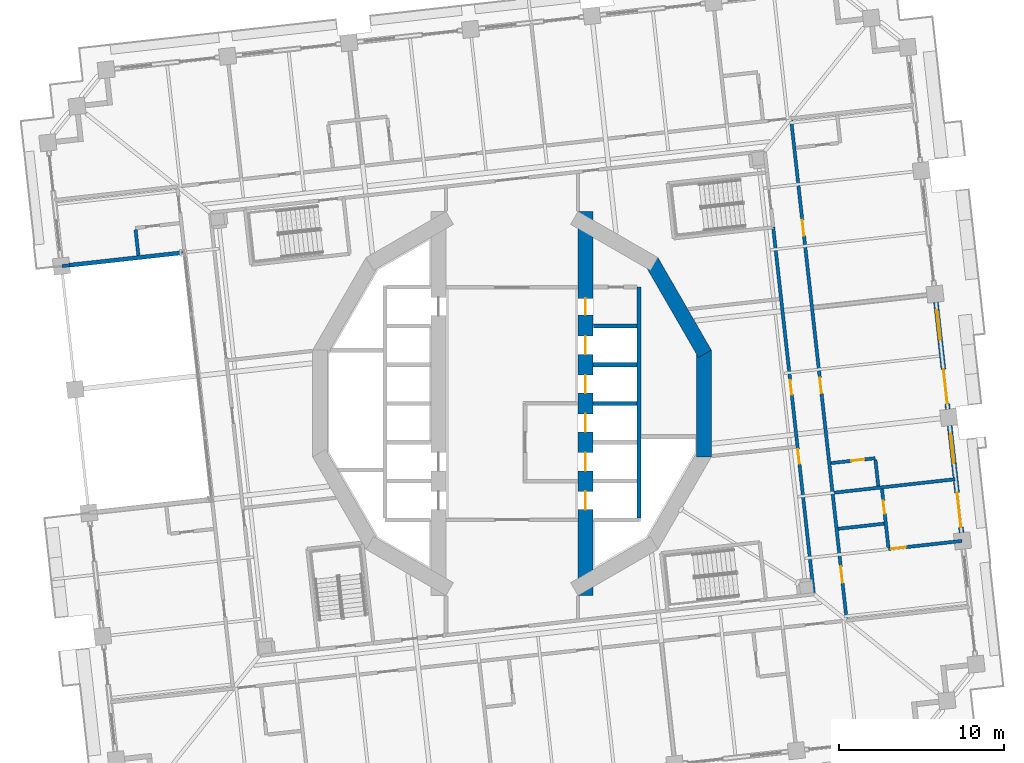
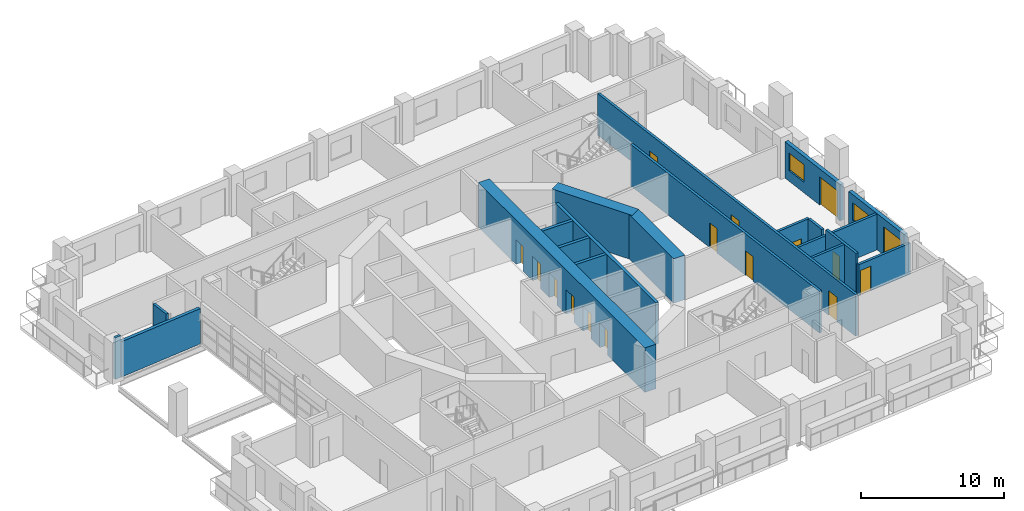
# One storey, part 10 of 21: 20 walls, 16 doors, 2 windows, 18 openings.
"""IFC4 building model written with IfcOpenShell, lengths in metres."""

from ifc_helpers import new_model, si_unit, direction, frame, frame_2d, origin, place, context, subcontext, project, spatial, rectangle, extrude, material, layer, layer_set, type_object, element, fill, save


model = new_model("IFC4")

# Units and contexts
model_context = context("Model", 3, precision=1e-05, world=origin(), true_north=direction((0.0, 1.0)))
body_context = subcontext(model_context, "Body", "Model", "MODEL_VIEW")
ifc_project = project(units=[si_unit("LENGTHUNIT", "METRE"), si_unit("AREAUNIT", "SQUARE_METRE"), si_unit("VOLUMEUNIT", "CUBIC_METRE"), si_unit("PLANEANGLEUNIT", "RADIAN"), si_unit("MASSUNIT", "GRAM", prefix="KILO")], contexts=[model_context])

# Site, building, storey
site_placement = place(None, origin())
site = spatial("IfcSite", under=ifc_project, at=site_placement, CompositionType="ELEMENT")
building_placement = place(site_placement, origin())
building = spatial("IfcBuilding", under=site, at=building_placement, Name="Cantera Rosa Tower", CompositionType="ELEMENT")
storey_placement = place(building_placement, frame((0.0, 0.0, 72.89990234375)))
storey = spatial("IfcBuildingStorey", under=building, at=storey_placement, Name="L15", CompositionType="ELEMENT", Elevation=72.89990234375)

# Wall, openings, doors
ifc_material_1 = material(Name="Gypsum board partition")
ifc_layer_1 = layer(ifc_material_1, 0.199951171875)
ifc_layer_set_1 = layer_set([ifc_layer_1], Name="CORRIDOR WALL 200 H3550")
wall_type_1 = type_object("IfcWallType", Name="CORRIDOR WALL 200 H3550", PredefinedType="PARTITIONING", material=ifc_layer_set_1)
wall_1_placement = place(storey_placement, frame((18.27490234375, -11.453857421875, 0.0), z_axis=(0.0, 0.0, 1.0), x_axis=(-0.110303935969, 0.993897903061, 0.0)))
wall_1 = element("IfcWall", 1, at=wall_1_placement, inside=storey, type_object=wall_type_1, Name="CORRIDOR WALL L15-101", PredefinedType="PARTITIONING", context=body_context, shape_type="SweptSolid", body=[
    extrude(rectangle(XDim=22.26171875, YDim=0.199951171875, at=frame_2d((11.130859375, 0.0))), origin(), (0.0, 0.0, 1.0), 3.550048828125),
])
opening_1_placement = place(wall_1_placement, frame((12.050048828125, 0.0, 0.0)))
opening_1 = element("IfcOpeningElement", 2, at=opening_1_placement, cuts=wall_1, Name="Opening L15-005", PredefinedType="OPENING", context=body_context, shape_type="SweptSolid", body=[
    extrude(rectangle(XDim=0.89990234375, YDim=2.10009765625, at=frame_2d((0.449951171875, 1.050048828125))), frame((0.0, 0.10986328125, 0.0), z_axis=(0.0, -1.0, 0.0), x_axis=(1.0, 0.0, 0.0)), (0.0, 0.0, 1.0), 0.219970703125),
])
opening_2_placement = place(wall_1_placement, frame((7.842529296875, 0.0, 0.0)))
opening_2 = element("IfcOpeningElement", 3, at=opening_2_placement, cuts=wall_1, Name="Opening L15-011", PredefinedType="OPENING", context=body_context, shape_type="SweptSolid", body=[
    extrude(rectangle(XDim=0.89990234375, YDim=2.10009765625, at=frame_2d((0.449951171875, 1.050048828125))), frame((0.0, 0.10986328125, 0.0), z_axis=(0.0, -1.0, 0.0), x_axis=(1.0, 0.0, 0.0)), (0.0, 0.0, 1.0), 0.219970703125),
])
ifc_material_2 = material(Name="Timber door leaf", Category="wood")
door_type_1 = type_object("IfcDoorType", Name="SERVICE DOOR 900x2100", OperationType="NOTDEFINED", PredefinedType="DOOR", material=ifc_material_2)
door_1_placement = place(opening_1_placement, origin())
door_1 = element("IfcDoor", 4, at=door_1_placement, inside=storey, type_object=door_type_1, Name="DOOR L15-005", OperationType="NOTDEFINED", OverallHeight=2.10009765625, OverallWidth=0.89990234375, PredefinedType="DOOR", context=body_context, shape_type="SweptSolid", body=[
    extrude(rectangle(XDim=0.89990234375, YDim=2.10009765625, at=frame_2d((0.449951171875, 1.050048828125))), frame((0.0, 0.02490234375, 0.0), z_axis=(0.0, -1.0, 0.0), x_axis=(1.0, 0.0, 0.0)), (0.0, 0.0, 1.0), 0.050048828125),
])
fill(opening_1, door_1)
door_2_placement = place(opening_2_placement, origin())
door_2 = element("IfcDoor", 5, at=door_2_placement, inside=storey, type_object=door_type_1, Name="DOOR L15-011", OperationType="NOTDEFINED", OverallHeight=2.10009765625, OverallWidth=0.89990234375, PredefinedType="DOOR", context=body_context, shape_type="SweptSolid", body=[
    extrude(rectangle(XDim=0.89990234375, YDim=2.10009765625, at=frame_2d((0.449951171875, 1.050048828125))), frame((0.0, 0.02490234375, 0.0), z_axis=(0.0, -1.0, 0.0), x_axis=(1.0, 0.0, 0.0)), (0.0, 0.0, 1.0), 0.050048828125),
])
fill(opening_2, door_2)

wall_2_placement = place(storey_placement, frame((20.2626953125, -13.04443359375, 0.0), z_axis=(0.0, 0.0, 1.0), x_axis=(-0.110312530755, 0.993896949164, 0.0)))
wall_2 = element("IfcWall", 6, at=wall_2_placement, inside=storey, type_object=wall_type_1, Name="CORRIDOR WALL L15-106", PredefinedType="PARTITIONING", context=body_context, shape_type="SweptSolid", body=[
    extrude(rectangle(XDim=30.400146484375, YDim=0.199951171875, at=frame_2d((15.2001953125, 0.0))), origin(), (0.0, 0.0, 1.0), 3.550048828125),
])
opening_3_placement = place(wall_2_placement, frame((2.18994140625, 0.0, 0.0)))
opening_3 = element("IfcOpeningElement", 7, at=opening_3_placement, cuts=wall_2, Name="Opening L15-018", PredefinedType="OPENING", context=body_context, shape_type="SweptSolid", body=[
    extrude(rectangle(XDim=1.0, YDim=2.10009765625, at=frame_2d((0.5, 1.050048828125))), frame((0.0, 0.10986328125, 0.0), z_axis=(0.0, -1.0, 0.0), x_axis=(1.0, 0.0, 0.0)), (0.0, 0.0, 1.0), 0.219970703125),
])
opening_4_placement = place(wall_2_placement, frame((13.7451171875, 0.0, 0.0)))
opening_4 = element("IfcOpeningElement", 8, at=opening_4_placement, cuts=wall_2, Name="Opening L15-021", PredefinedType="OPENING", context=body_context, shape_type="SweptSolid", body=[
    extrude(rectangle(XDim=0.949951171875, YDim=2.10009765625, at=frame_2d((0.47509765625, 1.050048828125))), frame((0.0, 0.10986328125, 0.0), z_axis=(0.0, -1.0, 0.0), x_axis=(1.0, 0.0, 0.0)), (0.0, 0.0, 1.0), 0.219970703125),
])
opening_5_placement = place(wall_2_placement, frame((23.35498046875, 0.0, 0.0)))
opening_5 = element("IfcOpeningElement", 9, at=opening_5_placement, cuts=wall_2, Name="Opening L15-023", PredefinedType="OPENING", context=body_context, shape_type="SweptSolid", body=[
    extrude(rectangle(XDim=0.949951171875, YDim=2.10009765625, at=frame_2d((0.47509765625, 1.050048828125))), frame((0.0, 0.10986328125, 0.0), z_axis=(0.0, -1.0, 0.0), x_axis=(1.0, 0.0, 0.0)), (0.0, 0.0, 1.0), 0.219970703125),
])
ifc_material_3 = material(Name="Timber door leaf", Category="wood")
door_type_2 = type_object("IfcDoorType", Name="ENTRANCE DOOR 1000x2100", OperationType="NOTDEFINED", PredefinedType="DOOR", material=ifc_material_3)
door_3_placement = place(opening_3_placement, origin())
door_3 = element("IfcDoor", 10, at=door_3_placement, inside=storey, type_object=door_type_2, Name="DOOR L15-018", OperationType="NOTDEFINED", OverallHeight=2.10009765625, OverallWidth=1.0, PredefinedType="DOOR", context=body_context, shape_type="SweptSolid", body=[
    extrude(rectangle(XDim=1.0, YDim=2.10009765625, at=frame_2d((0.5, 1.050048828125))), frame((0.0, 0.02490234375, 0.0), z_axis=(0.0, -1.0, 0.0), x_axis=(1.0, 0.0, 0.0)), (0.0, 0.0, 1.0), 0.050048828125),
])
fill(opening_3, door_3)
ifc_material_4 = material(Name="Timber door leaf", Category="wood")
door_type_3 = type_object("IfcDoorType", Name="ROOM DOOR 950x2100", OperationType="NOTDEFINED", PredefinedType="DOOR", material=ifc_material_4)
door_4_placement = place(opening_4_placement, origin())
door_4 = element("IfcDoor", 11, at=door_4_placement, inside=storey, type_object=door_type_3, Name="DOOR L15-021", OperationType="NOTDEFINED", OverallHeight=2.10009765625, OverallWidth=0.949951171875, PredefinedType="DOOR", context=body_context, shape_type="SweptSolid", body=[
    extrude(rectangle(XDim=0.949951171875, YDim=2.10009765625, at=frame_2d((0.47509765625, 1.050048828125))), frame((0.0, 0.02490234375, 0.0), z_axis=(0.0, -1.0, 0.0), x_axis=(1.0, 0.0, 0.0)), (0.0, 0.0, 1.0), 0.050048828125),
])
fill(opening_4, door_4)
door_5_placement = place(opening_5_placement, origin())
door_5 = element("IfcDoor", 12, at=door_5_placement, inside=storey, type_object=door_type_3, Name="DOOR L15-023", OperationType="NOTDEFINED", OverallHeight=2.10009765625, OverallWidth=0.949951171875, PredefinedType="DOOR", context=body_context, shape_type="SweptSolid", body=[
    extrude(rectangle(XDim=0.949951171875, YDim=2.10009765625, at=frame_2d((0.47509765625, 1.050048828125))), frame((0.0, 0.02490234375, 0.0), z_axis=(0.0, -1.0, 0.0), x_axis=(1.0, 0.0, 0.0)), (0.0, 0.0, 1.0), 0.050048828125),
])
fill(opening_5, door_5)

# Wall, openings, window, door
ifc_material_5 = material(Name="Hollow clay masonry with cantera stone cladding", Category="masonry")
ifc_layer_2 = layer(ifc_material_5, 0.300048828125)
ifc_layer_set_2 = layer_set([ifc_layer_2], Name="EW-LOGGIA 300 H3090")
wall_type_2 = type_object("IfcWallType", Name="EW-LOGGIA 300 H3090", PredefinedType="SOLIDWALL", material=ifc_layer_set_2)
wall_3_placement = place(storey_placement, frame((27.229248046875, -7.823974609375, 0.0), z_axis=(0.0, 0.0, 1.0), x_axis=(-0.110312341265, 0.993896970196, 0.0)))
wall_3 = element("IfcWall", 13, at=wall_3_placement, inside=storey, type_object=wall_type_2, Name="EN-L15-W02", PredefinedType="SOLIDWALL", context=body_context, shape_type="SweptSolid", body=[
    extrude(rectangle(XDim=6.52001953125, YDim=0.300048828125, at=frame_2d((3.260009765625, 0.0))), origin(), (0.0, 0.0, 1.0), 3.090087890625),
])
opening_6_placement = place(wall_3_placement, frame((0.330078125, 0.0, 0.0)))
opening_6 = element("IfcOpeningElement", 14, at=opening_6_placement, cuts=wall_3, Name="Opening L15-TD03", PredefinedType="OPENING", context=body_context, shape_type="SweptSolid", body=[
    extrude(rectangle(XDim=2.10009765625, YDim=2.39990234375, at=frame_2d((1.050048828125, 1.199951171875))), frame((0.0, 0.159912109375, 0.0), z_axis=(0.0, -1.0, 0.0), x_axis=(1.0, 0.0, 0.0)), (0.0, 0.0, 1.0), 0.320068359375),
])
opening_7_placement = place(wall_3_placement, frame((4.239990234375, 0.0, 0.89990234375)))
opening_7 = element("IfcOpeningElement", 15, at=opening_7_placement, cuts=wall_3, Name="Opening L15-W04", PredefinedType="OPENING", context=body_context, shape_type="SweptSolid", body=[
    extrude(rectangle(XDim=1.800048828125, YDim=1.5, at=frame_2d((0.89990234375, 0.75))), frame((0.0, 0.159912109375, 0.0), z_axis=(0.0, -1.0, 0.0), x_axis=(1.0, 0.0, 0.0)), (0.0, 0.0, 1.0), 0.320068359375),
])
ifc_material_6 = material(Name="Aluminium frame with clear glass", Category="aluminium")
window_type = type_object("IfcWindowType", Name="Hotel room window 1800x1500", PartitioningType="DOUBLE_PANEL_VERTICAL", PredefinedType="WINDOW", material=ifc_material_6)
window_1_placement = place(opening_7_placement, origin())
window_1 = element("IfcWindow", 16, at=window_1_placement, inside=storey, type_object=window_type, Name="WINDOW L15-W04", OverallHeight=1.5, OverallWidth=1.800048828125, PartitioningType="SINGLE_PANEL", PredefinedType="WINDOW", context=body_context, shape_type="SweptSolid", body=[
    extrude(rectangle(XDim=1.800048828125, YDim=1.5, at=frame_2d((0.89990234375, 0.75))), frame((0.0, 0.030029296875, 0.0), z_axis=(0.0, -1.0, 0.0), x_axis=(1.0, 0.0, 0.0)), (0.0, 0.0, 1.0), 0.06005859375),
])
fill(opening_7, window_1)
ifc_material_7 = material(Name="Aluminium frame with clear glass", Category="aluminium")
door_type_4 = type_object("IfcDoorType", Name="TD-H 2100x2400", OperationType="NOTDEFINED", PredefinedType="DOOR", material=ifc_material_7)
door_6_placement = place(opening_6_placement, origin())
door_6 = element("IfcDoor", 17, at=door_6_placement, inside=storey, type_object=door_type_4, Name="LOGGIA DOOR L15-TD03", OperationType="SLIDING_TO_LEFT", OverallHeight=2.39990234375, OverallWidth=2.10009765625, PredefinedType="DOOR", context=body_context, shape_type="SweptSolid", body=[
    extrude(rectangle(XDim=2.10009765625, YDim=2.39990234375, at=frame_2d((1.050048828125, 1.199951171875))), frame((0.0, 0.02490234375, 0.0), z_axis=(0.0, -1.0, 0.0), x_axis=(1.0, 0.0, 0.0)), (0.0, 0.0, 1.0), 0.050048828125),
])
fill(opening_6, door_6)

wall_4_placement = place(storey_placement, frame((26.399658203125, -0.349853515625, 0.0), z_axis=(0.0, 0.0, 1.0), x_axis=(-0.110312341265, 0.993896970196, 0.0)))
wall_4 = element("IfcWall", 18, at=wall_4_placement, inside=storey, type_object=wall_type_2, Name="EN-L15-W03", PredefinedType="SOLIDWALL", context=body_context, shape_type="SweptSolid", body=[
    extrude(rectangle(XDim=6.52001953125, YDim=0.300048828125, at=frame_2d((3.260009765625, 0.0))), origin(), (0.0, 0.0, 1.0), 3.090087890625),
])
opening_8_placement = place(wall_4_placement, frame((0.330078125, 0.0, 0.0)))
opening_8 = element("IfcOpeningElement", 19, at=opening_8_placement, cuts=wall_4, Name="Opening L15-TD05", PredefinedType="OPENING", context=body_context, shape_type="SweptSolid", body=[
    extrude(rectangle(XDim=2.10009765625, YDim=2.39990234375, at=frame_2d((1.050048828125, 1.199951171875))), frame((0.0, 0.159912109375, 0.0), z_axis=(0.0, -1.0, 0.0), x_axis=(1.0, 0.0, 0.0)), (0.0, 0.0, 1.0), 0.320068359375),
])
opening_9_placement = place(wall_4_placement, frame((4.239990234375, 0.0, 0.89990234375)))
opening_9 = element("IfcOpeningElement", 20, at=opening_9_placement, cuts=wall_4, Name="Opening L15-W06", PredefinedType="OPENING", context=body_context, shape_type="SweptSolid", body=[
    extrude(rectangle(XDim=1.800048828125, YDim=1.5, at=frame_2d((0.89990234375, 0.75))), frame((0.0, 0.159912109375, 0.0), z_axis=(0.0, -1.0, 0.0), x_axis=(1.0, 0.0, 0.0)), (0.0, 0.0, 1.0), 0.320068359375),
])
window_2_placement = place(opening_9_placement, origin())
window_2 = element("IfcWindow", 21, at=window_2_placement, inside=storey, type_object=window_type, Name="WINDOW L15-W06", OverallHeight=1.5, OverallWidth=1.800048828125, PartitioningType="SINGLE_PANEL", PredefinedType="WINDOW", context=body_context, shape_type="SweptSolid", body=[
    extrude(rectangle(XDim=1.800048828125, YDim=1.5, at=frame_2d((0.89990234375, 0.75))), frame((0.0, 0.030029296875, 0.0), z_axis=(0.0, -1.0, 0.0), x_axis=(1.0, 0.0, 0.0)), (0.0, 0.0, 1.0), 0.06005859375),
])
fill(opening_9, window_2)
door_7_placement = place(opening_8_placement, origin())
door_7 = element("IfcDoor", 22, at=door_7_placement, inside=storey, type_object=door_type_4, Name="LOGGIA DOOR L15-TD05", OperationType="SLIDING_TO_LEFT", OverallHeight=2.39990234375, OverallWidth=2.10009765625, PredefinedType="DOOR", context=body_context, shape_type="SweptSolid", body=[
    extrude(rectangle(XDim=2.10009765625, YDim=2.39990234375, at=frame_2d((1.050048828125, 1.199951171875))), frame((0.0, 0.02490234375, 0.0), z_axis=(0.0, -1.0, 0.0), x_axis=(1.0, 0.0, 0.0)), (0.0, 0.0, 1.0), 0.050048828125),
])
fill(opening_8, door_7)

# Wall
ifc_material_8 = material(Name="Concrete C40/50", Category="concrete")
ifc_layer_3 = layer(ifc_material_8, 0.25)
ifc_layer_set_3 = layer_set([ifc_layer_3], Name="EW-POCKET CHEEK 250 H3020")
wall_type_3 = type_object("IfcWallType", Name="EW-POCKET CHEEK 250 H3020", PredefinedType="SOLIDWALL", material=ifc_layer_set_3)
wall_5_placement = place(storey_placement, frame((-26.78759765625, 8.376220703125, 0.0), z_axis=(0.0, 0.0, 1.0), x_axis=(0.993899689646, 0.11028783669, 0.0)))
element("IfcWall", 23, at=wall_5_placement, inside=storey, type_object=wall_type_3, Name="POCKET CHEEK A L15", PredefinedType="SOLIDWALL", context=body_context, shape_type="SweptSolid", body=[
    extrude(rectangle(XDim=6.89990234375, YDim=0.25, at=frame_2d((3.449951171875, 0.0))), origin(), (0.0, 0.0, 1.0), 3.02001953125),
])

# Wall, opening, door
ifc_material_9 = material(Name="Gypsum board partition")
ifc_layer_4 = layer(ifc_material_9, 0.199951171875)
ifc_layer_set_4 = layer_set([ifc_layer_4], Name="PARTITION 200 H2650")
wall_type_4 = type_object("IfcWallType", Name="PARTITION 200 H2650", PredefinedType="PARTITIONING", material=ifc_layer_set_4)
wall_6_placement = place(storey_placement, frame((27.254638671875, -8.32421875, 0.0), z_axis=(0.0, 0.0, 1.0), x_axis=(-0.993895052822, -0.11032961514, 0.0)))
wall_6 = element("IfcWall", 24, at=wall_6_placement, inside=storey, type_object=wall_type_4, Name="PARTITION L15-110", PredefinedType="PARTITIONING", context=body_context, shape_type="SweptSolid", body=[
    extrude(rectangle(XDim=4.469970703125, YDim=0.199951171875, at=frame_2d((2.23486328125, 0.0))), origin(), (0.0, 0.0, 1.0), 2.650146484375),
])
opening_10_placement = place(wall_6_placement, frame((3.419921875, 0.0, 0.0)))
opening_10 = element("IfcOpeningElement", 25, at=opening_10_placement, cuts=wall_6, Name="Opening L15-019", PredefinedType="OPENING", context=body_context, shape_type="SweptSolid", body=[
    extrude(rectangle(XDim=0.89990234375, YDim=2.10009765625, at=frame_2d((0.449951171875, 1.050048828125))), frame((0.0, 0.10986328125, 0.0), z_axis=(0.0, -1.0, 0.0), x_axis=(1.0, 0.0, 0.0)), (0.0, 0.0, 1.0), 0.219970703125),
])
ifc_material_10 = material(Name="Timber door leaf", Category="wood")
door_type_5 = type_object("IfcDoorType", Name="ROOM DOOR 900x2100", OperationType="NOTDEFINED", PredefinedType="DOOR", material=ifc_material_10)
door_8_placement = place(opening_10_placement, origin())
door_8 = element("IfcDoor", 26, at=door_8_placement, inside=storey, type_object=door_type_5, Name="DOOR L15-019", OperationType="NOTDEFINED", OverallHeight=2.10009765625, OverallWidth=0.89990234375, PredefinedType="DOOR", context=body_context, shape_type="SweptSolid", body=[
    extrude(rectangle(XDim=0.89990234375, YDim=2.10009765625, at=frame_2d((0.449951171875, 1.050048828125))), frame((0.0, 0.02490234375, 0.0), z_axis=(0.0, -1.0, 0.0), x_axis=(1.0, 0.0, 0.0)), (0.0, 0.0, 1.0), 0.050048828125),
])
fill(opening_10, door_8)

# Walls
ifc_material_11 = material(Name="Gypsum board partition")
ifc_layer_5 = layer(ifc_material_11, 0.199951171875)
ifc_layer_set_5 = layer_set([ifc_layer_5], Name="PARTITION 200 H3550")
wall_type_5 = type_object("IfcWallType", Name="PARTITION 200 H3550", PredefinedType="PARTITIONING", material=ifc_layer_set_5)
wall_7_placement = place(storey_placement, frame((-22.6279296875, 8.9736328125, 0.0), z_axis=(0.0, 0.0, 1.0), x_axis=(-0.110294546254, 0.993898945098, 0.0)))
element("IfcWall", 27, at=wall_7_placement, inside=storey, type_object=wall_type_5, Name="PARTITION L15-004", PredefinedType="PARTITIONING", context=body_context, shape_type="SweptSolid", body=[
    extrude(rectangle(XDim=1.56494140625, YDim=0.199951171875, at=frame_2d((0.782470703125, 0.0))), origin(), (0.0, 0.0, 1.0), 3.550048828125),
])
wall_8_placement = place(storey_placement, frame((-26.78759765625, 8.376220703125, 0.0), z_axis=(0.0, 0.0, 1.0), x_axis=(-0.99385836564, -0.110659608929, 0.0)))
element("IfcWall", 28, at=wall_8_placement, inside=storey, type_object=wall_type_5, Name="PARTITION L15-012", PredefinedType="PARTITIONING", context=body_context, shape_type="SweptSolid", body=[
    extrude(rectangle(XDim=0.469970703125, YDim=0.199951171875, at=frame_2d((0.23486328125, 0.0))), origin(), (0.0, 0.0, 1.0), 3.550048828125),
])

# Wall, opening, door
wall_9_placement = place(storey_placement, frame((19.31640625, -3.611083984375, 0.0), z_axis=(0.0, 0.0, 1.0), x_axis=(0.993905770718, 0.110233021063, 0.0)))
wall_9 = element("IfcWall", 29, at=wall_9_placement, inside=storey, type_object=wall_type_5, Name="PARTITION L15-102", PredefinedType="PARTITIONING", context=body_context, shape_type="SweptSolid", body=[
    extrude(rectangle(XDim=2.69970703125, YDim=0.199951171875, at=frame_2d((1.349853515625, 0.0))), origin(), (0.0, 0.0, 1.0), 3.550048828125),
])
opening_11_placement = place(wall_9_placement, frame((1.236083984375, 0.0, 0.0)))
opening_11 = element("IfcOpeningElement", 30, at=opening_11_placement, cuts=wall_9, Name="Opening L15-022", PredefinedType="OPENING", context=body_context, shape_type="SweptSolid", body=[
    extrude(rectangle(XDim=0.800048828125, YDim=2.10009765625, at=frame_2d((0.39990234375, 1.050048828125))), frame((0.0, 0.10986328125, 0.0), z_axis=(0.0, -1.0, 0.0), x_axis=(1.0, 0.0, 0.0)), (0.0, 0.0, 1.0), 0.219970703125),
])
ifc_material_12 = material(Name="Timber door leaf", Category="wood")
door_type_6 = type_object("IfcDoorType", Name="BATHROOM DOOR 800x2100", OperationType="NOTDEFINED", PredefinedType="DOOR", material=ifc_material_12)
door_9_placement = place(opening_11_placement, origin())
door_9 = element("IfcDoor", 31, at=door_9_placement, inside=storey, type_object=door_type_6, Name="DOOR L15-022", OperationType="NOTDEFINED", OverallHeight=2.10009765625, OverallWidth=0.800048828125, PredefinedType="DOOR", context=body_context, shape_type="SweptSolid", body=[
    extrude(rectangle(XDim=0.800048828125, YDim=2.10009765625, at=frame_2d((0.39990234375, 1.050048828125))), frame((0.0, 0.02490234375, 0.0), z_axis=(0.0, -1.0, 0.0), x_axis=(1.0, 0.0, 0.0)), (0.0, 0.0, 1.0), 0.050048828125),
])
fill(opening_11, door_9)

# Walls
wall_10_placement = place(storey_placement, frame((22.0107421875, -3.412841796875, 0.0), z_axis=(0.0, 0.0, 1.0), x_axis=(0.110331031706, -0.993894895571, 0.0)))
element("IfcWall", 32, at=wall_10_placement, inside=storey, type_object=wall_type_5, Name="PARTITION L15-107", PredefinedType="PARTITIONING", context=body_context, shape_type="SweptSolid", body=[
    extrude(rectangle(XDim=1.599853515625, YDim=0.199951171875, at=frame_2d((0.7998046875, 0.0))), origin(), (0.0, 0.0, 1.0), 3.550048828125),
])
wall_11_placement = place(storey_placement, frame((22.540283203125, -7.27783203125, 0.0), z_axis=(0.0, 0.0, 1.0), x_axis=(-0.99388798752, -0.110393243744, 0.0)))
element("IfcWall", 33, at=wall_11_placement, inside=storey, type_object=wall_type_5, Name="PARTITION L15-108", PredefinedType="PARTITIONING", context=body_context, shape_type="SweptSolid", body=[
    extrude(rectangle(XDim=2.7998046875, YDim=0.199951171875, at=frame_2d((1.39990234375, 0.0))), origin(), (0.0, 0.0, 1.0), 3.550048828125),
])

# Wall, opening, door
wall_12_placement = place(storey_placement, frame((22.80078125, -8.718017578125, 0.0), z_axis=(0.0, 0.0, 1.0), x_axis=(-0.110273460699, 0.993901284769, 0.0)))
wall_12 = element("IfcWall", 34, at=wall_12_placement, inside=storey, type_object=wall_type_5, Name="PARTITION L15-109", PredefinedType="PARTITIONING", context=body_context, shape_type="SweptSolid", body=[
    extrude(rectangle(XDim=3.56005859375, YDim=0.199951171875, at=frame_2d((1.780029296875, 0.0))), origin(), (0.0, 0.0, 1.0), 3.550048828125),
])
opening_12_placement = place(wall_12_placement, frame((2.050048828125, 0.0, 0.0)))
opening_12 = element("IfcOpeningElement", 35, at=opening_12_placement, cuts=wall_12, Name="Opening L15-020", PredefinedType="OPENING", context=body_context, shape_type="SweptSolid", body=[
    extrude(rectangle(XDim=0.800048828125, YDim=2.10009765625, at=frame_2d((0.39990234375, 1.050048828125))), frame((0.0, 0.10986328125, 0.0), z_axis=(0.0, -1.0, 0.0), x_axis=(1.0, 0.0, 0.0)), (0.0, 0.0, 1.0), 0.219970703125),
])
door_10_placement = place(opening_12_placement, origin())
door_10 = element("IfcDoor", 36, at=door_10_placement, inside=storey, type_object=door_type_6, Name="DOOR L15-020", OperationType="NOTDEFINED", OverallHeight=2.10009765625, OverallWidth=0.800048828125, PredefinedType="DOOR", context=body_context, shape_type="SweptSolid", body=[
    extrude(rectangle(XDim=0.800048828125, YDim=2.10009765625, at=frame_2d((0.39990234375, 1.050048828125))), frame((0.0, 0.02490234375, 0.0), z_axis=(0.0, -1.0, 0.0), x_axis=(1.0, 0.0, 0.0)), (0.0, 0.0, 1.0), 0.050048828125),
])
fill(opening_12, door_10)

# Walls
ifc_material_13 = material(Name="Gypsum board partition")
ifc_layer_6 = layer(ifc_material_13, 0.199951171875)
ifc_layer_set_6 = layer_set([ifc_layer_6], Name="PARTY WALL 200 H3050")
wall_type_6 = type_object("IfcWallType", Name="PARTY WALL 200 H3050", PredefinedType="PARTITIONING", material=ifc_layer_set_6)
wall_13_placement = place(storey_placement, frame((19.514892578125, -5.400146484375, 0.0), z_axis=(0.0, 0.0, 1.0), x_axis=(0.993897058864, 0.11031154238, 0.0)))
element("IfcWall", 37, at=wall_13_placement, inside=storey, type_object=wall_type_6, Name="PARTY WALL L15-103", PredefinedType="PARTITIONING", context=body_context, shape_type="SweptSolid", body=[
    extrude(rectangle(XDim=7.369873046875, YDim=0.199951171875, at=frame_2d((3.68505859375, 0.0))), origin(), (0.0, 0.0, 1.0), 3.050048828125),
])
ifc_material_14 = material(Name="Concrete C70/85", Category="concrete")
ifc_layer_7 = layer(ifc_material_14, 0.89990234375)
ifc_layer_set_7 = layer_set([ifc_layer_7], Name="RC CORE WALL 900 C70/85")
wall_type_7 = type_object("IfcWallType", Name="RC CORE WALL 900 C70/85", PredefinedType="SHEAR", material=ifc_layer_set_7)
wall_14_placement = place(storey_placement, frame((8.44921875, 8.61376953125, 0.0), z_axis=(0.0, 0.0, 1.0), x_axis=(0.499990282633, -0.866031014036, 0.0)))
element("IfcWall", 38, at=wall_14_placement, inside=storey, type_object=wall_type_7, Name="CW-E2 L15", PredefinedType="SHEAR", context=body_context, shape_type="SweptSolid", body=[
    extrude(rectangle(XDim=6.470458984375, YDim=0.89990234375, at=frame_2d((3.2353515625, 0.0))), origin(), (0.0, 0.0, 1.0), 3.800048828125),
])
wall_15_placement = place(storey_placement, frame((11.6240234375, 3.2353515625, 0.0), z_axis=(0.0, 0.0, 1.0), x_axis=(0.0, -1.0, 0.0)))
element("IfcWall", 39, at=wall_15_placement, inside=storey, type_object=wall_type_7, Name="CW-E3 L15", PredefinedType="SHEAR", context=body_context, shape_type="SweptSolid", body=[
    extrude(rectangle(XDim=6.470703125, YDim=0.89990234375, at=frame_2d((3.2353515625, 0.0))), origin(), (0.0, 0.0, 1.0), 3.800048828125),
])

# Wall, openings, doors
wall_16_placement = place(storey_placement, frame((4.449951171875, -11.632568359375, 0.0), z_axis=(0.0, 0.0, 1.0), x_axis=(0.0, 1.0, 0.0)))
wall_16 = element("IfcWall", 40, at=wall_16_placement, inside=storey, type_object=wall_type_7, Name="CW-E6 L15", PredefinedType="SHEAR", context=body_context, shape_type="SweptSolid", body=[
    extrude(rectangle(XDim=23.26513671875, YDim=0.89990234375, at=frame_2d((11.632568359375, 0.0))), origin(), (0.0, 0.0, 1.0), 3.800048828125),
])
opening_13_placement = place(wall_16_placement, frame((7.5576171875, 0.0, 0.0)))
opening_13 = element("IfcOpeningElement", 41, at=opening_13_placement, cuts=wall_16, Name="Opening LD-FF1-L15", PredefinedType="OPENING", context=body_context, shape_type="SweptSolid", body=[
    extrude(rectangle(XDim=1.10009765625, YDim=2.10009765625, at=frame_2d((0.550048828125, 1.050048828125))), frame((0.0, 0.4599609375, 0.0), z_axis=(0.0, -1.0, 0.0), x_axis=(1.0, 0.0, 0.0)), (0.0, 0.0, 1.0), 0.919921875),
])
opening_14_placement = place(wall_16_placement, frame((9.907470703125, 0.0, 0.0)))
opening_14 = element("IfcOpeningElement", 42, at=opening_14_placement, cuts=wall_16, Name="Opening LD-FF2-L15", PredefinedType="OPENING", context=body_context, shape_type="SweptSolid", body=[
    extrude(rectangle(XDim=1.10009765625, YDim=2.10009765625, at=frame_2d((0.550048828125, 1.050048828125))), frame((0.0, 0.4599609375, 0.0), z_axis=(0.0, -1.0, 0.0), x_axis=(1.0, 0.0, 0.0)), (0.0, 0.0, 1.0), 0.919921875),
])
opening_15_placement = place(wall_16_placement, frame((12.257568359375, 0.0, 0.0)))
opening_15 = element("IfcOpeningElement", 43, at=opening_15_placement, cuts=wall_16, Name="Opening LD-P1-L15", PredefinedType="OPENING", context=body_context, shape_type="SweptSolid", body=[
    extrude(rectangle(XDim=1.10009765625, YDim=2.10009765625, at=frame_2d((0.550048828125, 1.050048828125))), frame((0.0, 0.4599609375, 0.0), z_axis=(0.0, -1.0, 0.0), x_axis=(1.0, 0.0, 0.0)), (0.0, 0.0, 1.0), 0.919921875),
])
opening_16_placement = place(wall_16_placement, frame((14.607421875, 0.0, 0.0)))
opening_16 = element("IfcOpeningElement", 44, at=opening_16_placement, cuts=wall_16, Name="Opening LD-P2-L15", PredefinedType="OPENING", context=body_context, shape_type="SweptSolid", body=[
    extrude(rectangle(XDim=1.10009765625, YDim=2.10009765625, at=frame_2d((0.550048828125, 1.050048828125))), frame((0.0, 0.4599609375, 0.0), z_axis=(0.0, -1.0, 0.0), x_axis=(1.0, 0.0, 0.0)), (0.0, 0.0, 1.0), 0.919921875),
])
opening_17_placement = place(wall_16_placement, frame((5.20751953125, 0.0, 0.0)))
opening_17 = element("IfcOpeningElement", 45, at=opening_17_placement, cuts=wall_16, Name="Opening LD-P6-L15", PredefinedType="OPENING", context=body_context, shape_type="SweptSolid", body=[
    extrude(rectangle(XDim=1.10009765625, YDim=2.10009765625, at=frame_2d((0.550048828125, 1.050048828125))), frame((0.0, 0.4599609375, 0.0), z_axis=(0.0, -1.0, 0.0), x_axis=(1.0, 0.0, 0.0)), (0.0, 0.0, 1.0), 0.919921875),
])
opening_18_placement = place(wall_16_placement, frame((17.007568359375, 0.0, 0.0)))
opening_18 = element("IfcOpeningElement", 46, at=opening_18_placement, cuts=wall_16, Name="Opening SD-L15-17", PredefinedType="OPENING", context=body_context, shape_type="SweptSolid", body=[
    extrude(rectangle(XDim=1.0, YDim=2.10009765625, at=frame_2d((0.5, 1.050048828125))), frame((0.0, 0.4599609375, 0.0), z_axis=(0.0, -1.0, 0.0), x_axis=(1.0, 0.0, 0.0)), (0.0, 0.0, 1.0), 0.919921875),
])
ifc_material_15 = material(Name="Steel S355J2 (EN 10025-2)", Category="steel")
door_type_7 = type_object("IfcDoorType", Name="LANDING DOOR 1100x2100", OperationType="NOTDEFINED", PredefinedType="DOOR", material=ifc_material_15)
door_11_placement = place(opening_13_placement, origin())
door_11 = element("IfcDoor", 47, at=door_11_placement, inside=storey, type_object=door_type_7, Name="LANDING DOOR FF1 L15", OperationType="SLIDING_TO_LEFT", OverallHeight=2.10009765625, OverallWidth=1.10009765625, PredefinedType="DOOR", context=body_context, shape_type="SweptSolid", body=[
    extrude(rectangle(XDim=1.10009765625, YDim=2.10009765625, at=frame_2d((0.550048828125, 1.050048828125))), frame((0.0, 0.02490234375, 0.0), z_axis=(0.0, -1.0, 0.0), x_axis=(1.0, 0.0, 0.0)), (0.0, 0.0, 1.0), 0.050048828125),
])
fill(opening_13, door_11)
door_12_placement = place(opening_14_placement, origin())
door_12 = element("IfcDoor", 48, at=door_12_placement, inside=storey, type_object=door_type_7, Name="LANDING DOOR FF2 L15", OperationType="SLIDING_TO_LEFT", OverallHeight=2.10009765625, OverallWidth=1.10009765625, PredefinedType="DOOR", context=body_context, shape_type="SweptSolid", body=[
    extrude(rectangle(XDim=1.10009765625, YDim=2.10009765625, at=frame_2d((0.550048828125, 1.050048828125))), frame((0.0, 0.02490234375, 0.0), z_axis=(0.0, -1.0, 0.0), x_axis=(1.0, 0.0, 0.0)), (0.0, 0.0, 1.0), 0.050048828125),
])
fill(opening_14, door_12)
door_13_placement = place(opening_15_placement, origin())
door_13 = element("IfcDoor", 49, at=door_13_placement, inside=storey, type_object=door_type_7, Name="LANDING DOOR P1 L15", OperationType="SLIDING_TO_LEFT", OverallHeight=2.10009765625, OverallWidth=1.10009765625, PredefinedType="DOOR", context=body_context, shape_type="SweptSolid", body=[
    extrude(rectangle(XDim=1.10009765625, YDim=2.10009765625, at=frame_2d((0.550048828125, 1.050048828125))), frame((0.0, 0.02490234375, 0.0), z_axis=(0.0, -1.0, 0.0), x_axis=(1.0, 0.0, 0.0)), (0.0, 0.0, 1.0), 0.050048828125),
])
fill(opening_15, door_13)
door_14_placement = place(opening_16_placement, origin())
door_14 = element("IfcDoor", 50, at=door_14_placement, inside=storey, type_object=door_type_7, Name="LANDING DOOR P2 L15", OperationType="SLIDING_TO_LEFT", OverallHeight=2.10009765625, OverallWidth=1.10009765625, PredefinedType="DOOR", context=body_context, shape_type="SweptSolid", body=[
    extrude(rectangle(XDim=1.10009765625, YDim=2.10009765625, at=frame_2d((0.550048828125, 1.050048828125))), frame((0.0, 0.02490234375, 0.0), z_axis=(0.0, -1.0, 0.0), x_axis=(1.0, 0.0, 0.0)), (0.0, 0.0, 1.0), 0.050048828125),
])
fill(opening_16, door_14)
door_15_placement = place(opening_17_placement, origin())
door_15 = element("IfcDoor", 51, at=door_15_placement, inside=storey, type_object=door_type_7, Name="LANDING DOOR P6 L15", OperationType="SLIDING_TO_LEFT", OverallHeight=2.10009765625, OverallWidth=1.10009765625, PredefinedType="DOOR", context=body_context, shape_type="SweptSolid", body=[
    extrude(rectangle(XDim=1.10009765625, YDim=2.10009765625, at=frame_2d((0.550048828125, 1.050048828125))), frame((0.0, 0.02490234375, 0.0), z_axis=(0.0, -1.0, 0.0), x_axis=(1.0, 0.0, 0.0)), (0.0, 0.0, 1.0), 0.050048828125),
])
fill(opening_17, door_15)
ifc_material_16 = material(Name="Timber door leaf", Category="wood")
door_type_8 = type_object("IfcDoorType", Name="SERVICE DOOR 1000x2100", OperationType="NOTDEFINED", PredefinedType="DOOR", material=ifc_material_16)
door_16_placement = place(opening_18_placement, origin())
door_16 = element("IfcDoor", 52, at=door_16_placement, inside=storey, type_object=door_type_8, Name="DOOR L15-SD17", OperationType="NOTDEFINED", OverallHeight=2.10009765625, OverallWidth=1.0, PredefinedType="DOOR", context=body_context, shape_type="SweptSolid", body=[
    extrude(rectangle(XDim=1.0, YDim=2.10009765625, at=frame_2d((0.5, 1.050048828125))), frame((0.0, 0.02490234375, 0.0), z_axis=(0.0, -1.0, 0.0), x_axis=(1.0, 0.0, 0.0)), (0.0, 0.0, 1.0), 0.050048828125),
])
fill(opening_18, door_16)

# Walls
ifc_material_17 = material(Name="Masonry blockwork", Category="masonry")
ifc_layer_8 = layer(ifc_material_17, 0.25)
ifc_layer_set_8 = layer_set([ifc_layer_8], Name="SHAFT WALL 250 H3550")
wall_type_8 = type_object("IfcWallType", Name="SHAFT WALL 250 H3550", PredefinedType="SOLIDWALL", material=ifc_layer_set_8)
wall_17_placement = place(storey_placement, frame((4.89990234375, 0.0, 0.0), z_axis=(0.0, 0.0, 1.0), x_axis=(1.0, 0.0, 0.0)))
element("IfcWall", 53, at=wall_17_placement, inside=storey, type_object=wall_type_8, Name="SHAFT WALL L15-066", PredefinedType="SOLIDWALL", context=body_context, shape_type="SweptSolid", body=[
    extrude(rectangle(XDim=2.675048828125, YDim=0.25, at=frame_2d((1.33740234375, 0.0))), origin(), (0.0, 0.0, 1.0), 3.550048828125),
])
wall_18_placement = place(storey_placement, frame((7.699951171875, -6.929931640625, 0.0), z_axis=(0.0, 0.0, 1.0), x_axis=(0.0, 1.0, 0.0)))
element("IfcWall", 54, at=wall_18_placement, inside=storey, type_object=wall_type_8, Name="SHAFT WALL L15-068", PredefinedType="SOLIDWALL", context=body_context, shape_type="SweptSolid", body=[
    extrude(rectangle(XDim=13.97998046875, YDim=0.25, at=frame_2d((6.989990234375, 0.0))), origin(), (0.0, 0.0, 1.0), 3.550048828125),
])
wall_19_placement = place(storey_placement, frame((7.574951171875, 2.35009765625, 0.0), z_axis=(0.0, 0.0, 1.0), x_axis=(-1.0, 0.0, 0.0)))
element("IfcWall", 55, at=wall_19_placement, inside=storey, type_object=wall_type_8, Name="SHAFT WALL L15-071", PredefinedType="SOLIDWALL", context=body_context, shape_type="SweptSolid", body=[
    extrude(rectangle(XDim=2.675048828125, YDim=0.25, at=frame_2d((1.33740234375, 0.0))), origin(), (0.0, 0.0, 1.0), 3.550048828125),
])
wall_20_placement = place(storey_placement, frame((7.574951171875, 4.699951171875, 0.0), z_axis=(0.0, 0.0, 1.0), x_axis=(-1.0, 0.0, 0.0)))
element("IfcWall", 56, at=wall_20_placement, inside=storey, type_object=wall_type_8, Name="SHAFT WALL L15-072", PredefinedType="SOLIDWALL", context=body_context, shape_type="SweptSolid", body=[
    extrude(rectangle(XDim=2.64501953125, YDim=0.25, at=frame_2d((1.322509765625, 0.0))), origin(), (0.0, 0.0, 1.0), 3.550048828125),
])

save(model, "model.ifc")
